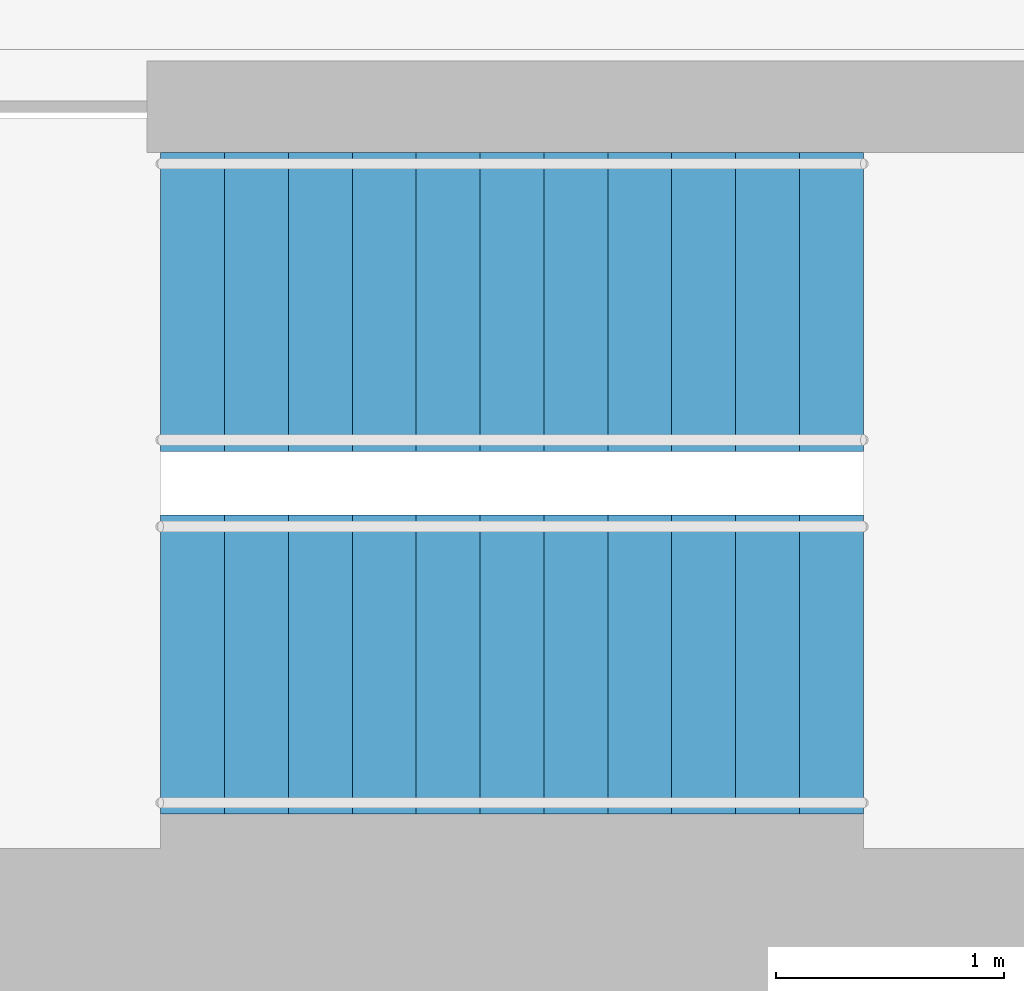
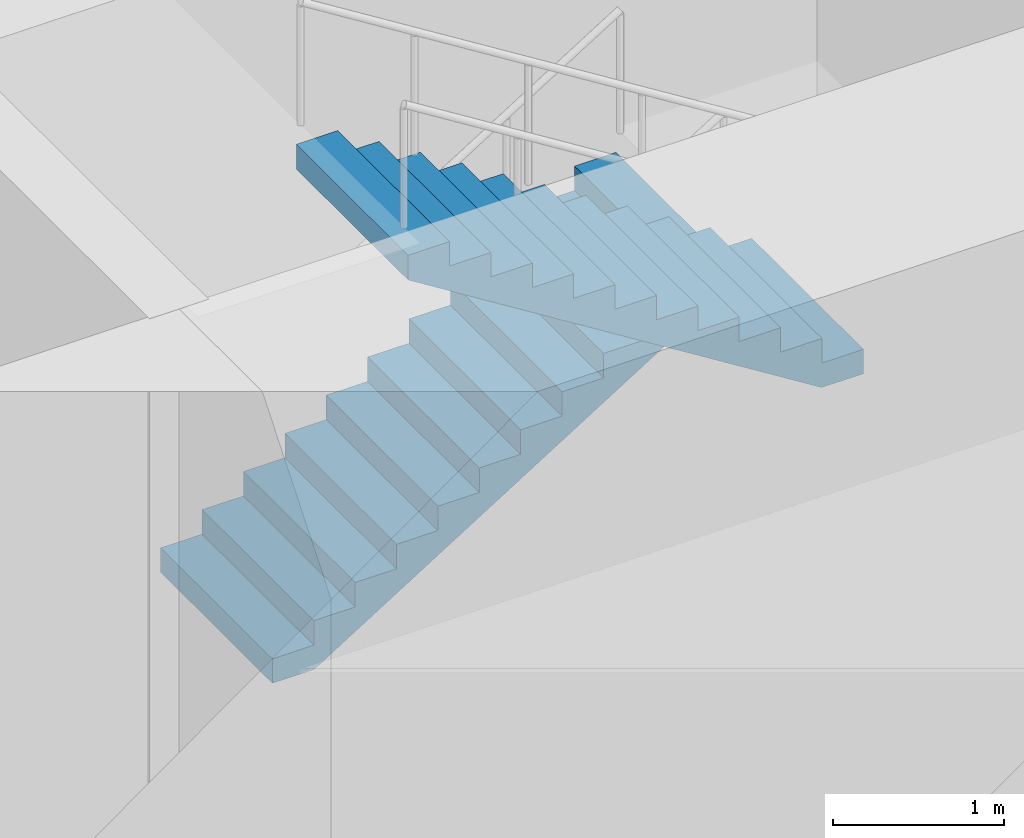
# One storey, part 12 of 16: 2 stair flights, 1 element without a shape of its own.
"""IFC4 building model written with IfcOpenShell, lengths in metres."""

import ifcopenshell
import ifcopenshell.guid

model = None  # the IFC model being written
_history = None  # IfcOwnerHistory: only IFC2X3 demands one
_inside = {}  # id of a spatial element -> (the spatial element, [elements in it])
_under = {}  # id of a project, library or spatial element -> (it, [spatial elements below it])
_declared = {}  # id of a project -> (the project, [libraries it declares])
_typed = {}  # id of a type object -> (the type object, [elements of that type])
_made_of = {}  # id of a material, layer set ... -> (it, [elements and type objects made of it])


def new_model(schema):
    """Start an empty IFC model of exactly this schema.

    Asked for "IFC4X3", IfcOpenShell would pick the latest addendum, in which some entities
    have other attributes; the version numbers below select the first issue.
    IFC2X3 requires an IfcOwnerHistory on every rooted entity: one is made here for all.
    """
    global model, _history
    if schema == "IFC4X3":
        model = ifcopenshell.file(schema_version=(4, 3, 0, 0))
    else:
        model = ifcopenshell.file(schema=schema)
    _inside.clear()
    _under.clear()
    _declared.clear()
    _typed.clear()
    _made_of.clear()
    _history = None
    if model.schema == "IFC2X3":
        org = make("IfcOrganization", Name="unknown")
        user = make(
            "IfcPersonAndOrganization",
            ThePerson=make("IfcPerson", FamilyName="unknown"),
            TheOrganization=org,
        )
        app = make(
            "IfcApplication",
            ApplicationDeveloper=org,
            Version="unknown",
            ApplicationFullName="unknown",
            ApplicationIdentifier="unknown",
        )
        _history = make(
            "IfcOwnerHistory",
            OwningUser=user,
            OwningApplication=app,
            ChangeAction="ADDED",
            CreationDate=0,
        )
    return model


def make(cls, **values):
    """One entity of the class cls with the attributes given. An attribute that is None is left unset."""
    return model.create_entity(
        cls, **{name: value for name, value in values.items() if value is not None}
    )


def rooted(cls, **values):
    """An entity with a GlobalId (a new one), such as an element, a storey or a relation."""
    return make(cls, GlobalId=ifcopenshell.guid.new(), OwnerHistory=_history, **values)


def si_unit(unit_type, name, prefix=None):
    """IfcSIUnit, for example si_unit("LENGTHUNIT", "METRE", prefix="MILLI")."""
    return make("IfcSIUnit", UnitType=unit_type, Prefix=prefix, Name=name)


def assignment(units):
    """IfcUnitAssignment: the units of a project."""
    return None if units is None else make("IfcUnitAssignment", Units=units)


def point(xyz):
    """IfcCartesianPoint."""
    return None if xyz is None else make("IfcCartesianPoint", Coordinates=xyz)


def direction(xyz):
    """IfcDirection."""
    return None if xyz is None else make("IfcDirection", DirectionRatios=xyz)


def frame(location, z_axis=None, x_axis=None):
    """IfcAxis2Placement3D, a coordinate frame: its origin and axes. An axis left out is left unset."""
    return make(
        "IfcAxis2Placement3D",
        Location=point(location),
        Axis=direction(z_axis),
        RefDirection=direction(x_axis),
    )


def origin():
    """The frame at (0, 0, 0) with its axes left unset."""
    return frame((0.0, 0.0, 0.0))


def place(relative_to, where):
    """IfcLocalPlacement: puts the frame where relative to a parent placement (None: the world)."""
    return make(
        "IfcLocalPlacement", PlacementRelTo=relative_to, RelativePlacement=where
    )


def context(
    kind, dimensions, precision=None, world=None, true_north=None, identifier=None
):
    """IfcGeometricRepresentationContext, for example the 3D "Model" context."""
    return make(
        "IfcGeometricRepresentationContext",
        ContextIdentifier=identifier,
        ContextType=kind,
        CoordinateSpaceDimension=dimensions,
        Precision=precision,
        WorldCoordinateSystem=world,
        TrueNorth=true_north,
    )


def subcontext(parent, identifier, kind, view, scale=None):
    """IfcGeometricRepresentationSubContext, for example "Body" below "Model"."""
    return make(
        "IfcGeometricRepresentationSubContext",
        ContextIdentifier=identifier,
        ContextType=kind,
        ParentContext=parent,
        TargetScale=scale,
        TargetView=view,
    )


def project(units=None, contexts=None):
    """IfcProject with its units and contexts."""
    return rooted(
        "IfcProject",
        Name="project",
        RepresentationContexts=contexts,
        UnitsInContext=assignment(units),
    )


def spatial(cls, under=None, at=None, **own):
    """A site, building, storey or space (cls), placed at a placement, below another one or the project."""
    s = rooted(cls, ObjectPlacement=at, **own)
    if under is not None:
        _under.setdefault(under.id(), (under, []))[1].append(s)
    return s


def polyline(points):
    """IfcPolyline through the points."""
    return make("IfcPolyline", Points=[point(p) for p in points])


def outline(outer, holes=None, kind="AREA"):
    """IfcArbitraryClosedProfileDef: a profile drawn as a closed curve; with holes, ...WithVoids."""
    if holes is None:
        return make("IfcArbitraryClosedProfileDef", ProfileType=kind, OuterCurve=outer)
    return make(
        "IfcArbitraryProfileDefWithVoids",
        ProfileType=kind,
        OuterCurve=outer,
        InnerCurves=holes,
    )


def extrude(swept, where, along, depth):
    """IfcExtrudedAreaSolid: the profile swept, set in the frame where, extruded along a direction by depth."""
    return make(
        "IfcExtrudedAreaSolid",
        SweptArea=swept,
        Position=where,
        ExtrudedDirection=direction(along),
        Depth=depth,
    )


def shape(context_of_items, identifier, shape_type, items):
    """IfcShapeRepresentation: the items that make up one representation, for example the "Body"."""
    return make(
        "IfcShapeRepresentation",
        ContextOfItems=context_of_items,
        RepresentationIdentifier=identifier,
        RepresentationType=shape_type,
        Items=items,
    )


def material(Name=None, Category=None):
    """IfcMaterial."""
    return make("IfcMaterial", Name=Name, Category=Category)


def made_of(thing, what):
    """Note that an element or type object is made of a material, layer set ...; save() writes the relation."""
    if what is not None:
        _made_of.setdefault(what.id(), (what, []))[1].append(thing)
    return thing


def type_object(cls, material=None, **own):
    """A type object (cls), such as IfcWallType, which elements share."""
    return made_of(rooted(cls, **own), material)


def element(
    cls,
    number,
    at=None,
    inside=None,
    cuts=None,
    type_object=None,
    material=None,
    context=None,
    identifier="Body",
    shape_type=None,
    held_by="IfcProductDefinitionShape",
    body=None,
    shapes=None,
    **own,
):
    """One element of the class cls, such as IfcWall. Its Tag is "e" and its number.

    at: its placement. inside: the storey or other place that contains it. cuts: it is an
    opening in that element (IfcRelVoidsElement). A single representation is given by context,
    identifier, shape_type and body (its items); several are given by shapes. held_by: the class
    of the entity that holds the representations. save() writes the other relations.
    """
    e = rooted(cls, Tag="e%d" % number, ObjectPlacement=at, **own)
    if body is not None:
        shapes = [shape(context, identifier, shape_type, body)]
    if shapes is not None:
        e.Representation = make(held_by, Representations=shapes)
    if inside is not None:
        _inside.setdefault(inside.id(), (inside, []))[1].append(e)
    if cuts is not None:
        rooted(
            "IfcRelVoidsElement", RelatingBuildingElement=cuts, RelatedOpeningElement=e
        )
    if type_object is not None:
        _typed.setdefault(type_object.id(), (type_object, []))[1].append(e)
    return made_of(e, material)


def aggregate(whole, parts):
    """IfcRelAggregates: a whole, such as a stair, and the parts it consists of."""
    return rooted("IfcRelAggregates", RelatingObject=whole, RelatedObjects=parts)


def save(model, path):
    """Write the relations noted so far, then the file.

    IfcRelAggregates (storeys below a building ...), IfcRelContainedInSpatialStructure (elements
    in a storey), IfcRelDefinesByType, IfcRelAssociatesMaterial and IfcRelDeclares: one each for
    every whole, place, type object, material and project.
    """
    for whole, parts in _under.values():
        aggregate(whole, parts)
    for where, things in _inside.values():
        rooted(
            "IfcRelContainedInSpatialStructure",
            RelatedElements=things,
            RelatingStructure=where,
        )
    for kind, things in _typed.values():
        rooted("IfcRelDefinesByType", RelatedObjects=things, RelatingType=kind)
    for what, things in _made_of.values():
        rooted("IfcRelAssociatesMaterial", RelatedObjects=things, RelatingMaterial=what)
    for by, libraries in _declared.values():
        rooted("IfcRelDeclares", RelatingContext=by, RelatedDefinitions=libraries)
    model.write(path)


model = new_model("IFC4")

# Units and contexts
model_context = context("Model", 3, precision=1e-05, world=origin(), true_north=direction((0.0, 1.0)))
body_context = subcontext(model_context, "Body", "Model", "MODEL_VIEW")
ifc_project = project(units=[si_unit("LENGTHUNIT", "METRE"), si_unit("AREAUNIT", "SQUARE_METRE"), si_unit("VOLUMEUNIT", "CUBIC_METRE"), si_unit("PLANEANGLEUNIT", "RADIAN"), si_unit("MASSUNIT", "GRAM", prefix="KILO")], contexts=[model_context])

# Site, building, storey
site_placement = place(None, origin())
site = spatial("IfcSite", under=ifc_project, at=site_placement, CompositionType="ELEMENT")
building_placement = place(site_placement, origin())
building = spatial("IfcBuilding", under=site, at=building_placement, Name="Qaws Media Tower", CompositionType="ELEMENT")
storey_placement = place(building_placement, frame((0.0, 0.0, 89.0)))
storey = spatial("IfcBuildingStorey", under=building, at=storey_placement, Name="L19", CompositionType="ELEMENT", Elevation=89.0)

# Stair, stair flights
ifc_material_1 = material(Name="Concrete C40/50", Category="concrete")
stair_type = type_object("IfcStairType", Name="Exit stair", PredefinedType="HALF_TURN_STAIR", material=ifc_material_1)
stair_placement = place(storey_placement, origin())
stair = element("IfcStair", 1, at=stair_placement, inside=storey, type_object=stair_type, Name="S2 exit stair L19", PredefinedType="HALF_TURN_STAIR")
ifc_material_2 = material(Name="Concrete C40/50", Category="concrete")
stair_flight_type = type_object("IfcStairFlightType", Name="Stair flight 1310", PredefinedType="STRAIGHT", material=ifc_material_2)
stair_flight_1_placement = place(storey_placement, frame((66.159912109375, 47.64501953125, 0.0), z_axis=(0.0, 0.0, 1.0), x_axis=(1.0, 0.0, 0.0)))
stair_flight_1 = element("IfcStairFlight", 2, at=stair_flight_1_placement, type_object=stair_flight_type, Name="S2 flight 1", NumberOfRisers=12, NumberOfTreads=11, PredefinedType="STRAIGHT", RiserHeight=0.175, TreadLength=0.28, context=body_context, shape_type="SweptSolid", body=[
    extrude(outline(polyline([(0.0, 0.0), (0.0, 0.175048828125), (0.280029296875, 0.175048828125), (0.280029296875, 0.35009765625), (0.56005859375, 0.35009765625), (0.56005859375, 0.52490234375), (0.840087890625, 0.52490234375), (0.840087890625, 0.699951171875), (1.1201171875, 0.699951171875), (1.1201171875, 0.875), (1.39990234375, 0.875), (1.39990234375, 1.050048828125), (1.679931640625, 1.050048828125), (1.679931640625, 1.22509765625), (1.9599609375, 1.22509765625), (1.9599609375, 1.39990234375), (2.239990234375, 1.39990234375), (2.239990234375, 1.574951171875), (2.52001953125, 1.574951171875), (2.52001953125, 1.75), (2.800048828125, 1.75), (2.800048828125, 1.925048828125), (3.080078125, 1.925048828125), (3.080078125, 2.10009765625), (3.080078125, 1.748291015625), (0.28271484375, 0.0), (0.0, 0.0)])), frame((0.0, 0.655029296875, 0.0), z_axis=(0.0, -1.0, 0.0), x_axis=(1.0, 0.0, 0.0)), (0.0, 0.0, 1.0), 1.31005859375),
])
stair_flight_2_placement = place(storey_placement, frame((69.239990234375, 46.054931640625, 2.10009765625), z_axis=(0.0, 0.0, 1.0), x_axis=(-1.0, 0.0, 0.0)))
stair_flight_2 = element("IfcStairFlight", 3, at=stair_flight_2_placement, type_object=stair_flight_type, Name="S2 flight 2", NumberOfRisers=12, NumberOfTreads=11, PredefinedType="STRAIGHT", RiserHeight=0.175, TreadLength=0.28, context=body_context, shape_type="SweptSolid", body=[
    extrude(outline(polyline([(0.0, 0.0), (0.0, 0.175048828125), (0.280029296875, 0.175048828125), (0.280029296875, 0.35009765625), (0.56005859375, 0.35009765625), (0.56005859375, 0.52490234375), (0.840087890625, 0.52490234375), (0.840087890625, 0.699951171875), (1.1201171875, 0.699951171875), (1.1201171875, 0.875), (1.39990234375, 0.875), (1.39990234375, 1.050048828125), (1.679931640625, 1.050048828125), (1.679931640625, 1.22509765625), (1.9599609375, 1.22509765625), (1.9599609375, 1.39990234375), (2.239990234375, 1.39990234375), (2.239990234375, 1.574951171875), (2.52001953125, 1.574951171875), (2.52001953125, 1.75), (2.800048828125, 1.75), (2.800048828125, 1.925048828125), (3.080078125, 1.925048828125), (3.080078125, 2.10009765625), (3.080078125, 1.748291015625), (0.28271484375, 0.0), (0.0, 0.0)])), frame((0.0, 0.655029296875, 0.0), z_axis=(0.0, -1.0, 0.0), x_axis=(1.0, 0.0, 0.0)), (0.0, 0.0, 1.0), 1.31005859375),
])
aggregate(stair, [stair_flight_1, stair_flight_2])

save(model, "model.ifc")
